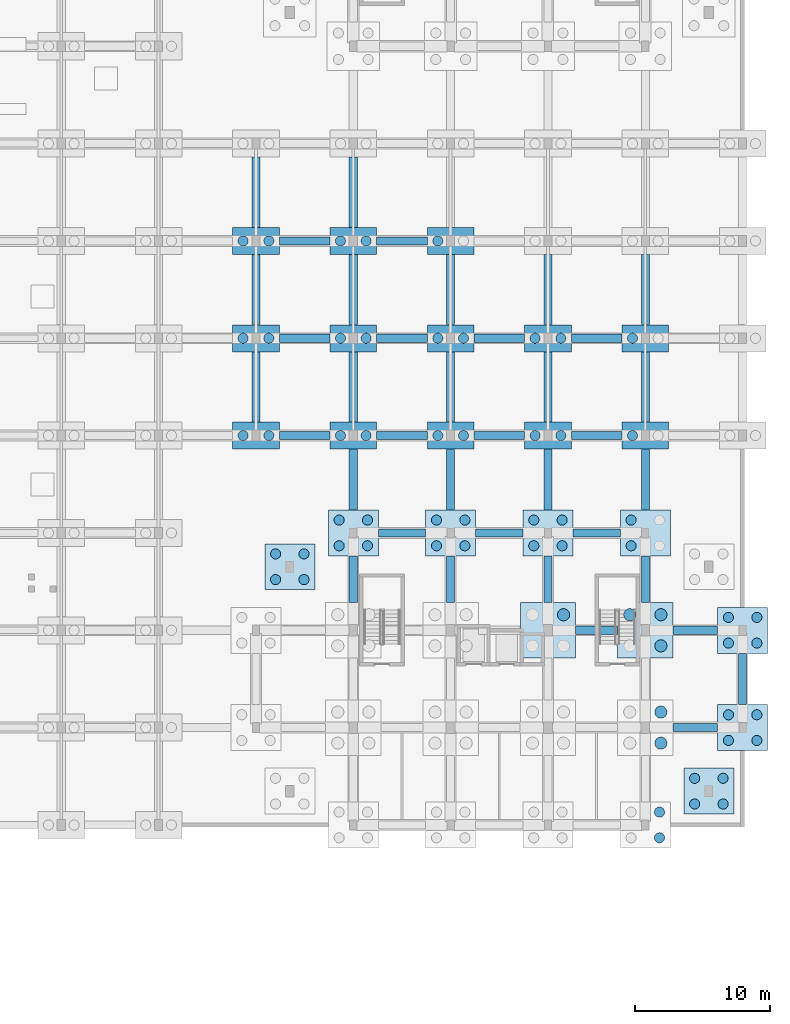
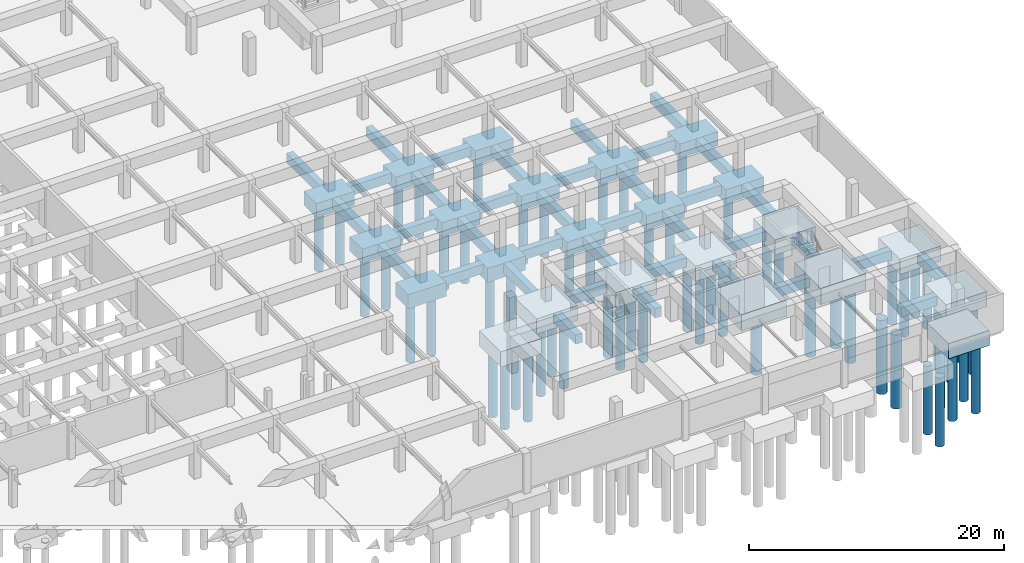
# One storey, part 13 of 36: 61 piles, 60 footings.
"""IFC4 building model written with IfcOpenShell, lengths in metres."""

from ifc_helpers import new_model, si_unit, direction, frame, origin, origin_2d, place, context, subcontext, project, spatial, rectangle, circle, extrude, material, material_profile, profile_set, type_object, element, save


model = new_model("IFC4")

# Units and contexts
model_context = context("Model", 3, precision=1e-05, world=origin(), true_north=direction((0.0, 1.0)))
body_context = subcontext(model_context, "Body", "Model", "MODEL_VIEW")
ifc_project = project(units=[si_unit("LENGTHUNIT", "METRE"), si_unit("AREAUNIT", "SQUARE_METRE"), si_unit("VOLUMEUNIT", "CUBIC_METRE"), si_unit("PLANEANGLEUNIT", "RADIAN"), si_unit("MASSUNIT", "GRAM", prefix="KILO")], contexts=[model_context])

# Site, building, storey
site_placement = place(None, origin())
site = spatial("IfcSite", under=ifc_project, at=site_placement, CompositionType="ELEMENT")
building_placement = place(site_placement, origin())
building = spatial("IfcBuilding", under=site, at=building_placement, Name="Ochrevale Crest", CompositionType="ELEMENT")
storey_placement = place(building_placement, frame((0.0, 0.0, -3.60009765625)))
storey = spatial("IfcBuildingStorey", under=building, at=storey_placement, Name="B1", CompositionType="ELEMENT", Elevation=-3.60009765625)

# Footings
ifc_material = material(Name="Concrete C40/50", Category="concrete")
footing_type_1 = type_object("IfcFootingType", Name="CAP-PC02", PredefinedType="PILE_CAP", material=ifc_material)
for number, where, z_axis, x_axis, name in (
    (1, (151.199951171875, 28.800048828125, -1.81005859375), (0.0, 0.0, 1.0), (1.0, 0.0, 0.0), "Pile cap PC02-290"),
    (2, (158.39990234375, 28.800048828125, -1.81005859375), (0.0, 0.0, 1.0), (1.0, 0.0, 0.0), "Pile cap PC02-302"),
):
    element("IfcFooting", number, at=place(storey_placement, frame(where, z_axis=z_axis, x_axis=x_axis)), inside=storey, type_object=footing_type_1, Name=name, PredefinedType="PILE_CAP", context=body_context, shape_type="SweptSolid", body=[
        extrude(rectangle(XDim=4.10009765625, YDim=4.10009765625, at=origin_2d()), origin(), (0.0, 0.0, 1.0), 1.550048828125),
    ])
footing_type_2 = type_object("IfcFootingType", Name="CAP-PC06", PredefinedType="PILE_CAP", material=ifc_material)
for number, where, z_axis, x_axis, name in (
    (3, (132.10009765625, 33.5, -1.7099609375), (0.0, 0.0, 1.0), (1.0, 0.0, 0.0), "Pile cap PC06-261"),
    (4, (136.800048828125, 36.0, -1.7099609375), (0.0, 0.0, 1.0), (1.0, 0.0, 0.0), "Pile cap PC06-267"),
    (5, (144.0, 36.0, -1.7099609375), (0.0, 0.0, 1.0), (1.0, 0.0, 0.0), "Pile cap PC06-279"),
    (6, (151.199951171875, 36.0, -1.7099609375), (0.0, 0.0, 1.0), (1.0, 0.0, 0.0), "Pile cap PC06-291"),
    (7, (158.39990234375, 36.0, -1.7099609375), (0.0, 0.0, 1.0), (1.0, 0.0, 0.0), "Pile cap PC06-303"),
    (8, (163.10009765625, 16.89990234375, -1.7099609375), (0.0, 0.0, 1.0), (1.0, 0.0, 0.0), "Pile cap PC06-312"),
    (9, (165.60009765625, 21.60009765625, -1.7099609375), (0.0, 0.0, 1.0), (1.0, 0.0, 0.0), "Pile cap PC06-316"),
    (10, (165.60009765625, 28.800048828125, -1.7099609375), (0.0, 0.0, 1.0), (1.0, 0.0, 0.0), "Pile cap PC06-317"),
):
    element("IfcFooting", number, at=place(storey_placement, frame(where, z_axis=z_axis, x_axis=x_axis)), inside=storey, type_object=footing_type_2, Name=name, PredefinedType="PILE_CAP", context=body_context, shape_type="SweptSolid", body=[
        extrude(rectangle(XDim=3.699951171875, YDim=3.39990234375, at=origin_2d()), origin(), (0.0, 0.0, 1.0), 1.449951171875),
    ])
footing_type_3 = type_object("IfcFootingType", Name="CAP-PC12", PredefinedType="PILE_CAP", material=ifc_material)
for number, where, z_axis, x_axis, name in (
    (11, (129.60009765625, 43.199951171875, -1.60986328125), (0.0, 0.0, 1.0), (1.0, 0.0, 0.0), "Pile cap PC12-254"),
    (12, (129.60009765625, 50.39990234375, -1.60986328125), (0.0, 0.0, 1.0), (1.0, 0.0, 0.0), "Pile cap PC12-255"),
    (13, (129.60009765625, 57.60009765625, -1.60986328125), (0.0, 0.0, 1.0), (1.0, 0.0, 0.0), "Pile cap PC12-256"),
    (14, (136.800048828125, 43.199951171875, -1.60986328125), (0.0, 0.0, 1.0), (1.0, 0.0, 0.0), "Pile cap PC12-268"),
    (15, (136.800048828125, 50.39990234375, -1.60986328125), (0.0, 0.0, 1.0), (1.0, 0.0, 0.0), "Pile cap PC12-269"),
    (16, (136.800048828125, 57.60009765625, -1.60986328125), (0.0, 0.0, 1.0), (1.0, 0.0, 0.0), "Pile cap PC12-270"),
    (17, (144.0, 43.199951171875, -1.60986328125), (0.0, 0.0, 1.0), (1.0, 0.0, 0.0), "Pile cap PC12-280"),
    (18, (144.0, 50.39990234375, -1.60986328125), (0.0, 0.0, 1.0), (1.0, 0.0, 0.0), "Pile cap PC12-281"),
    (19, (144.0, 57.60009765625, -1.60986328125), (0.0, 0.0, 1.0), (1.0, 0.0, 0.0), "Pile cap PC12-282"),
    (20, (151.199951171875, 43.199951171875, -1.60986328125), (0.0, 0.0, 1.0), (1.0, 0.0, 0.0), "Pile cap PC12-292"),
    (21, (151.199951171875, 50.39990234375, -1.60986328125), (0.0, 0.0, 1.0), (1.0, 0.0, 0.0), "Pile cap PC12-293"),
    (22, (158.39990234375, 43.199951171875, -1.60986328125), (0.0, 0.0, 1.0), (1.0, 0.0, 0.0), "Pile cap PC12-304"),
    (23, (158.39990234375, 50.39990234375, -1.60986328125), (0.0, 0.0, 1.0), (1.0, 0.0, 0.0), "Pile cap PC12-305"),
):
    element("IfcFooting", number, at=place(storey_placement, frame(where, z_axis=z_axis, x_axis=x_axis)), inside=storey, type_object=footing_type_3, Name=name, PredefinedType="PILE_CAP", context=body_context, shape_type="SweptSolid", body=[
        extrude(rectangle(XDim=3.449951171875, YDim=2.0, at=origin_2d()), origin(), (0.0, 0.0, 1.0), 1.35009765625),
    ])
ifc_material_profile_1 = material_profile(ifc_material, rectangle(XDim=0.60009765625, YDim=0.89990234375, at=origin_2d()), Name="GB 600x900")
ifc_profile_set_1 = profile_set([ifc_material_profile_1], Name="Concrete C40/50")
footing_type_4 = type_object("IfcFootingType", Name="FTG-GB600x900", PredefinedType="FOOTING_BEAM", material=ifc_profile_set_1)
footing_1_placement = place(storey_placement, frame((131.326904296875, 43.199951171875, -0.7099609375), z_axis=(1.0, 0.0, 0.0), x_axis=(0.0, 1.0, 0.0)))
element("IfcFooting", 24, at=footing_1_placement, inside=storey, type_object=footing_type_4, Name="Foundation tie beam GB1-455", PredefinedType="FOOTING_BEAM", context=body_context, shape_type="SweptSolid", body=[
    extrude(rectangle(XDim=0.60009765625, YDim=0.89990234375, at=origin_2d()), origin(), (0.0, 0.0, 1.0), 3.74609375),
])
footing_2_placement = place(storey_placement, frame((129.60009765625, 44.201904296875, -0.7099609375), z_axis=(0.0, 1.0, 0.0), x_axis=(-1.0, 0.0, 0.0)))
element("IfcFooting", 25, at=footing_2_placement, inside=storey, type_object=footing_type_4, Name="Foundation tie beam GB1-456", PredefinedType="FOOTING_BEAM", context=body_context, shape_type="SweptSolid", body=[
    extrude(rectangle(XDim=0.60009765625, YDim=0.89990234375, at=origin_2d()), origin(), (0.0, 0.0, 1.0), 5.196044921875),
])
footing_3_placement = place(storey_placement, frame((131.326904296875, 50.39990234375, -0.7099609375), z_axis=(1.0, 0.0, 0.0), x_axis=(0.0, 1.0, 0.0)))
element("IfcFooting", 26, at=footing_3_placement, inside=storey, type_object=footing_type_4, Name="Foundation tie beam GB1-457", PredefinedType="FOOTING_BEAM", context=body_context, shape_type="SweptSolid", body=[
    extrude(rectangle(XDim=0.60009765625, YDim=0.89990234375, at=origin_2d()), origin(), (0.0, 0.0, 1.0), 3.74609375),
])
footing_4_placement = place(storey_placement, frame((129.60009765625, 51.402099609375, -0.7099609375), z_axis=(0.0, 1.0, 0.0), x_axis=(-1.0, 0.0, 0.0)))
element("IfcFooting", 27, at=footing_4_placement, inside=storey, type_object=footing_type_4, Name="Foundation tie beam GB1-458", PredefinedType="FOOTING_BEAM", context=body_context, shape_type="SweptSolid", body=[
    extrude(rectangle(XDim=0.60009765625, YDim=0.89990234375, at=origin_2d()), origin(), (0.0, 0.0, 1.0), 5.19580078125),
])
footing_5_placement = place(storey_placement, frame((131.326904296875, 57.60009765625, -0.7099609375), z_axis=(1.0, 0.0, 0.0), x_axis=(0.0, 1.0, 0.0)))
element("IfcFooting", 28, at=footing_5_placement, inside=storey, type_object=footing_type_4, Name="Foundation tie beam GB1-459", PredefinedType="FOOTING_BEAM", context=body_context, shape_type="SweptSolid", body=[
    extrude(rectangle(XDim=0.60009765625, YDim=0.89990234375, at=origin_2d()), origin(), (0.0, 0.0, 1.0), 3.74609375),
])
footing_6_placement = place(storey_placement, frame((129.60009765625, 58.60205078125, -0.7099609375), z_axis=(0.0, 1.0, 0.0), x_axis=(-1.0, 0.0, 0.0)))
element("IfcFooting", 29, at=footing_6_placement, inside=storey, type_object=footing_type_4, Name="Foundation tie beam GB1-460", PredefinedType="FOOTING_BEAM", context=body_context, shape_type="SweptSolid", body=[
    extrude(rectangle(XDim=0.60009765625, YDim=0.89990234375, at=origin_2d()), origin(), (0.0, 0.0, 1.0), 5.196044921875),
])
footing_7_placement = place(storey_placement, frame((136.800048828125, 30.85205078125, -0.7099609375), z_axis=(0.0, 1.0, 0.0), x_axis=(-1.0, 0.0, 0.0)))
element("IfcFooting", 30, at=footing_7_placement, inside=storey, type_object=footing_type_4, Name="Foundation tie beam GB1-470", PredefinedType="FOOTING_BEAM", context=body_context, shape_type="SweptSolid", body=[
    extrude(rectangle(XDim=0.60009765625, YDim=0.89990234375, at=origin_2d()), origin(), (0.0, 0.0, 1.0), 3.446044921875),
])
footing_8_placement = place(storey_placement, frame((138.652099609375, 36.0, -0.7099609375), z_axis=(1.0, 0.0, 0.0), x_axis=(0.0, 1.0, 0.0)))
element("IfcFooting", 31, at=footing_8_placement, inside=storey, type_object=footing_type_4, Name="Foundation tie beam GB1-471", PredefinedType="FOOTING_BEAM", context=body_context, shape_type="SweptSolid", body=[
    extrude(rectangle(XDim=0.60009765625, YDim=0.89990234375, at=origin_2d()), origin(), (0.0, 0.0, 1.0), 3.495849609375),
])
footing_9_placement = place(storey_placement, frame((136.800048828125, 37.701904296875, -0.7099609375), z_axis=(0.0, 1.0, 0.0), x_axis=(-1.0, 0.0, 0.0)))
element("IfcFooting", 32, at=footing_9_placement, inside=storey, type_object=footing_type_4, Name="Foundation tie beam GB1-472", PredefinedType="FOOTING_BEAM", context=body_context, shape_type="SweptSolid", body=[
    extrude(rectangle(XDim=0.60009765625, YDim=0.89990234375, at=origin_2d()), origin(), (0.0, 0.0, 1.0), 4.49609375),
])
footing_10_placement = place(storey_placement, frame((138.527099609375, 43.199951171875, -0.7099609375), z_axis=(1.0, 0.0, 0.0), x_axis=(0.0, 1.0, 0.0)))
element("IfcFooting", 33, at=footing_10_placement, inside=storey, type_object=footing_type_4, Name="Foundation tie beam GB1-473", PredefinedType="FOOTING_BEAM", context=body_context, shape_type="SweptSolid", body=[
    extrude(rectangle(XDim=0.60009765625, YDim=0.89990234375, at=origin_2d()), origin(), (0.0, 0.0, 1.0), 3.745849609375),
])
footing_11_placement = place(storey_placement, frame((136.800048828125, 44.201904296875, -0.7099609375), z_axis=(0.0, 1.0, 0.0), x_axis=(-1.0, 0.0, 0.0)))
element("IfcFooting", 34, at=footing_11_placement, inside=storey, type_object=footing_type_4, Name="Foundation tie beam GB1-474", PredefinedType="FOOTING_BEAM", context=body_context, shape_type="SweptSolid", body=[
    extrude(rectangle(XDim=0.60009765625, YDim=0.89990234375, at=origin_2d()), origin(), (0.0, 0.0, 1.0), 5.196044921875),
])
footing_12_placement = place(storey_placement, frame((138.527099609375, 50.39990234375, -0.7099609375), z_axis=(1.0, 0.0, 0.0), x_axis=(0.0, 1.0, 0.0)))
element("IfcFooting", 35, at=footing_12_placement, inside=storey, type_object=footing_type_4, Name="Foundation tie beam GB1-475", PredefinedType="FOOTING_BEAM", context=body_context, shape_type="SweptSolid", body=[
    extrude(rectangle(XDim=0.60009765625, YDim=0.89990234375, at=origin_2d()), origin(), (0.0, 0.0, 1.0), 3.745849609375),
])
footing_13_placement = place(storey_placement, frame((136.800048828125, 51.402099609375, -0.7099609375), z_axis=(0.0, 1.0, 0.0), x_axis=(-1.0, 0.0, 0.0)))
element("IfcFooting", 36, at=footing_13_placement, inside=storey, type_object=footing_type_4, Name="Foundation tie beam GB1-476", PredefinedType="FOOTING_BEAM", context=body_context, shape_type="SweptSolid", body=[
    extrude(rectangle(XDim=0.60009765625, YDim=0.89990234375, at=origin_2d()), origin(), (0.0, 0.0, 1.0), 5.19580078125),
])
footing_14_placement = place(storey_placement, frame((138.527099609375, 57.60009765625, -0.7099609375), z_axis=(1.0, 0.0, 0.0), x_axis=(0.0, 1.0, 0.0)))
element("IfcFooting", 37, at=footing_14_placement, inside=storey, type_object=footing_type_4, Name="Foundation tie beam GB1-477", PredefinedType="FOOTING_BEAM", context=body_context, shape_type="SweptSolid", body=[
    extrude(rectangle(XDim=0.60009765625, YDim=0.89990234375, at=origin_2d()), origin(), (0.0, 0.0, 1.0), 3.745849609375),
])
footing_15_placement = place(storey_placement, frame((136.800048828125, 58.60205078125, -0.7099609375), z_axis=(0.0, 1.0, 0.0), x_axis=(-1.0, 0.0, 0.0)))
element("IfcFooting", 38, at=footing_15_placement, inside=storey, type_object=footing_type_4, Name="Foundation tie beam GB1-478", PredefinedType="FOOTING_BEAM", context=body_context, shape_type="SweptSolid", body=[
    extrude(rectangle(XDim=0.60009765625, YDim=0.89990234375, at=origin_2d()), origin(), (0.0, 0.0, 1.0), 5.196044921875),
])
footing_16_placement = place(storey_placement, frame((144.0, 30.85205078125, -0.7099609375), z_axis=(0.0, 1.0, 0.0), x_axis=(-1.0, 0.0, 0.0)))
element("IfcFooting", 39, at=footing_16_placement, inside=storey, type_object=footing_type_4, Name="Foundation tie beam GB1-493", PredefinedType="FOOTING_BEAM", context=body_context, shape_type="SweptSolid", body=[
    extrude(rectangle(XDim=0.60009765625, YDim=0.89990234375, at=origin_2d()), origin(), (0.0, 0.0, 1.0), 3.446044921875),
])
footing_17_placement = place(storey_placement, frame((145.85205078125, 36.0, -0.7099609375), z_axis=(1.0, 0.0, 0.0), x_axis=(0.0, 1.0, 0.0)))
element("IfcFooting", 40, at=footing_17_placement, inside=storey, type_object=footing_type_4, Name="Foundation tie beam GB1-494", PredefinedType="FOOTING_BEAM", context=body_context, shape_type="SweptSolid", body=[
    extrude(rectangle(XDim=0.60009765625, YDim=0.89990234375, at=origin_2d()), origin(), (0.0, 0.0, 1.0), 3.495849609375),
])
footing_18_placement = place(storey_placement, frame((144.0, 37.701904296875, -0.7099609375), z_axis=(0.0, 1.0, 0.0), x_axis=(-1.0, 0.0, 0.0)))
element("IfcFooting", 41, at=footing_18_placement, inside=storey, type_object=footing_type_4, Name="Foundation tie beam GB1-495", PredefinedType="FOOTING_BEAM", context=body_context, shape_type="SweptSolid", body=[
    extrude(rectangle(XDim=0.60009765625, YDim=0.89990234375, at=origin_2d()), origin(), (0.0, 0.0, 1.0), 4.49609375),
])
footing_19_placement = place(storey_placement, frame((145.72705078125, 43.199951171875, -0.7099609375), z_axis=(1.0, 0.0, 0.0), x_axis=(0.0, 1.0, 0.0)))
element("IfcFooting", 42, at=footing_19_placement, inside=storey, type_object=footing_type_4, Name="Foundation tie beam GB1-496", PredefinedType="FOOTING_BEAM", context=body_context, shape_type="SweptSolid", body=[
    extrude(rectangle(XDim=0.60009765625, YDim=0.89990234375, at=origin_2d()), origin(), (0.0, 0.0, 1.0), 3.745849609375),
])
footing_20_placement = place(storey_placement, frame((144.0, 44.201904296875, -0.7099609375), z_axis=(0.0, 1.0, 0.0), x_axis=(-1.0, 0.0, 0.0)))
element("IfcFooting", 43, at=footing_20_placement, inside=storey, type_object=footing_type_4, Name="Foundation tie beam GB1-497", PredefinedType="FOOTING_BEAM", context=body_context, shape_type="SweptSolid", body=[
    extrude(rectangle(XDim=0.60009765625, YDim=0.89990234375, at=origin_2d()), origin(), (0.0, 0.0, 1.0), 5.196044921875),
])
footing_21_placement = place(storey_placement, frame((145.72705078125, 50.39990234375, -0.7099609375), z_axis=(1.0, 0.0, 0.0), x_axis=(0.0, 1.0, 0.0)))
element("IfcFooting", 44, at=footing_21_placement, inside=storey, type_object=footing_type_4, Name="Foundation tie beam GB1-498", PredefinedType="FOOTING_BEAM", context=body_context, shape_type="SweptSolid", body=[
    extrude(rectangle(XDim=0.60009765625, YDim=0.89990234375, at=origin_2d()), origin(), (0.0, 0.0, 1.0), 3.745849609375),
])
footing_22_placement = place(storey_placement, frame((144.0, 51.402099609375, -0.7099609375), z_axis=(0.0, 1.0, 0.0), x_axis=(-1.0, 0.0, 0.0)))
element("IfcFooting", 45, at=footing_22_placement, inside=storey, type_object=footing_type_4, Name="Foundation tie beam GB1-499", PredefinedType="FOOTING_BEAM", context=body_context, shape_type="SweptSolid", body=[
    extrude(rectangle(XDim=0.60009765625, YDim=0.89990234375, at=origin_2d()), origin(), (0.0, 0.0, 1.0), 5.19580078125),
])
footing_23_placement = place(storey_placement, frame((153.251953125, 28.800048828125, -0.7099609375), z_axis=(1.0, 0.0, 0.0), x_axis=(0.0, 1.0, 0.0)))
element("IfcFooting", 46, at=footing_23_placement, inside=storey, type_object=footing_type_4, Name="Foundation tie beam GB1-515", PredefinedType="FOOTING_BEAM", context=body_context, shape_type="SweptSolid", body=[
    extrude(rectangle(XDim=0.60009765625, YDim=0.89990234375, at=origin_2d()), origin(), (0.0, 0.0, 1.0), 3.095947265625),
])
footing_24_placement = place(storey_placement, frame((151.199951171875, 30.85205078125, -0.7099609375), z_axis=(0.0, 1.0, 0.0), x_axis=(-1.0, 0.0, 0.0)))
element("IfcFooting", 47, at=footing_24_placement, inside=storey, type_object=footing_type_4, Name="Foundation tie beam GB1-516", PredefinedType="FOOTING_BEAM", context=body_context, shape_type="SweptSolid", body=[
    extrude(rectangle(XDim=0.60009765625, YDim=0.89990234375, at=origin_2d()), origin(), (0.0, 0.0, 1.0), 3.446044921875),
])
footing_25_placement = place(storey_placement, frame((153.052001953125, 36.0, -0.7099609375), z_axis=(1.0, 0.0, 0.0), x_axis=(0.0, 1.0, 0.0)))
element("IfcFooting", 48, at=footing_25_placement, inside=storey, type_object=footing_type_4, Name="Foundation tie beam GB1-517", PredefinedType="FOOTING_BEAM", context=body_context, shape_type="SweptSolid", body=[
    extrude(rectangle(XDim=0.60009765625, YDim=0.89990234375, at=origin_2d()), origin(), (0.0, 0.0, 1.0), 3.49609375),
])
footing_26_placement = place(storey_placement, frame((151.199951171875, 37.701904296875, -0.7099609375), z_axis=(0.0, 1.0, 0.0), x_axis=(-1.0, 0.0, 0.0)))
element("IfcFooting", 49, at=footing_26_placement, inside=storey, type_object=footing_type_4, Name="Foundation tie beam GB1-518", PredefinedType="FOOTING_BEAM", context=body_context, shape_type="SweptSolid", body=[
    extrude(rectangle(XDim=0.60009765625, YDim=0.89990234375, at=origin_2d()), origin(), (0.0, 0.0, 1.0), 4.49609375),
])
footing_27_placement = place(storey_placement, frame((152.927001953125, 43.199951171875, -0.7099609375), z_axis=(1.0, 0.0, 0.0), x_axis=(0.0, 1.0, 0.0)))
element("IfcFooting", 50, at=footing_27_placement, inside=storey, type_object=footing_type_4, Name="Foundation tie beam GB1-519", PredefinedType="FOOTING_BEAM", context=body_context, shape_type="SweptSolid", body=[
    extrude(rectangle(XDim=0.60009765625, YDim=0.89990234375, at=origin_2d()), origin(), (0.0, 0.0, 1.0), 3.74609375),
])
footing_28_placement = place(storey_placement, frame((151.199951171875, 44.201904296875, -0.7099609375), z_axis=(0.0, 1.0, 0.0), x_axis=(-1.0, 0.0, 0.0)))
element("IfcFooting", 51, at=footing_28_placement, inside=storey, type_object=footing_type_4, Name="Foundation tie beam GB1-520", PredefinedType="FOOTING_BEAM", context=body_context, shape_type="SweptSolid", body=[
    extrude(rectangle(XDim=0.60009765625, YDim=0.89990234375, at=origin_2d()), origin(), (0.0, 0.0, 1.0), 5.196044921875),
])
footing_29_placement = place(storey_placement, frame((152.927001953125, 50.39990234375, -0.7099609375), z_axis=(1.0, 0.0, 0.0), x_axis=(0.0, 1.0, 0.0)))
element("IfcFooting", 52, at=footing_29_placement, inside=storey, type_object=footing_type_4, Name="Foundation tie beam GB1-521", PredefinedType="FOOTING_BEAM", context=body_context, shape_type="SweptSolid", body=[
    extrude(rectangle(XDim=0.60009765625, YDim=0.89990234375, at=origin_2d()), origin(), (0.0, 0.0, 1.0), 3.74609375),
])
footing_30_placement = place(storey_placement, frame((151.199951171875, 51.402099609375, -0.7099609375), z_axis=(0.0, 1.0, 0.0), x_axis=(-1.0, 0.0, 0.0)))
element("IfcFooting", 53, at=footing_30_placement, inside=storey, type_object=footing_type_4, Name="Foundation tie beam GB1-522", PredefinedType="FOOTING_BEAM", context=body_context, shape_type="SweptSolid", body=[
    extrude(rectangle(XDim=0.60009765625, YDim=0.89990234375, at=origin_2d()), origin(), (0.0, 0.0, 1.0), 5.19580078125),
])
for number, where, z_axis, x_axis, name in (
    (54, (160.451904296875, 21.60009765625, -0.7099609375), (1.0, 0.0, 0.0), (0.0, 1.0, 0.0), "Foundation tie beam GB1-535"),
    (55, (160.451904296875, 28.800048828125, -0.7099609375), (1.0, 0.0, 0.0), (0.0, 1.0, 0.0), "Foundation tie beam GB1-537"),
):
    element("IfcFooting", number, at=place(storey_placement, frame(where, z_axis=z_axis, x_axis=x_axis)), inside=storey, type_object=footing_type_4, Name=name, PredefinedType="FOOTING_BEAM", context=body_context, shape_type="SweptSolid", body=[
        extrude(rectangle(XDim=0.60009765625, YDim=0.89990234375, at=origin_2d()), origin(), (0.0, 0.0, 1.0), 3.296142578125),
    ])
footing_31_placement = place(storey_placement, frame((158.39990234375, 30.85205078125, -0.7099609375), z_axis=(0.0, 1.0, 0.0), x_axis=(-1.0, 0.0, 0.0)))
element("IfcFooting", 56, at=footing_31_placement, inside=storey, type_object=footing_type_4, Name="Foundation tie beam GB1-538", PredefinedType="FOOTING_BEAM", context=body_context, shape_type="SweptSolid", body=[
    extrude(rectangle(XDim=0.60009765625, YDim=0.89990234375, at=origin_2d()), origin(), (0.0, 0.0, 1.0), 3.446044921875),
])
footing_32_placement = place(storey_placement, frame((158.39990234375, 37.701904296875, -0.7099609375), z_axis=(0.0, 1.0, 0.0), x_axis=(-1.0, 0.0, 0.0)))
element("IfcFooting", 57, at=footing_32_placement, inside=storey, type_object=footing_type_4, Name="Foundation tie beam GB1-539", PredefinedType="FOOTING_BEAM", context=body_context, shape_type="SweptSolid", body=[
    extrude(rectangle(XDim=0.60009765625, YDim=0.89990234375, at=origin_2d()), origin(), (0.0, 0.0, 1.0), 4.49609375),
])
footing_33_placement = place(storey_placement, frame((158.39990234375, 44.201904296875, -0.7099609375), z_axis=(0.0, 1.0, 0.0), x_axis=(-1.0, 0.0, 0.0)))
element("IfcFooting", 58, at=footing_33_placement, inside=storey, type_object=footing_type_4, Name="Foundation tie beam GB1-541", PredefinedType="FOOTING_BEAM", context=body_context, shape_type="SweptSolid", body=[
    extrude(rectangle(XDim=0.60009765625, YDim=0.89990234375, at=origin_2d()), origin(), (0.0, 0.0, 1.0), 5.196044921875),
])
footing_34_placement = place(storey_placement, frame((158.39990234375, 51.402099609375, -0.7099609375), z_axis=(0.0, 1.0, 0.0), x_axis=(-1.0, 0.0, 0.0)))
element("IfcFooting", 59, at=footing_34_placement, inside=storey, type_object=footing_type_4, Name="Foundation tie beam GB1-543", PredefinedType="FOOTING_BEAM", context=body_context, shape_type="SweptSolid", body=[
    extrude(rectangle(XDim=0.60009765625, YDim=0.89990234375, at=origin_2d()), origin(), (0.0, 0.0, 1.0), 5.19580078125),
])
footing_35_placement = place(storey_placement, frame((165.60009765625, 23.302001953125, -0.7099609375), z_axis=(0.0, 1.0, 0.0), x_axis=(-1.0, 0.0, 0.0)))
element("IfcFooting", 60, at=footing_35_placement, inside=storey, type_object=footing_type_4, Name="Foundation tie beam GB1-553", PredefinedType="FOOTING_BEAM", context=body_context, shape_type="SweptSolid", body=[
    extrude(rectangle(XDim=0.60009765625, YDim=0.89990234375, at=origin_2d()), origin(), (0.0, 0.0, 1.0), 3.7958984375),
])

# Piles
ifc_material_profile_2 = material_profile(ifc_material, circle(Radius=0.375, at=origin_2d()), Name="BORED PILE 750")
ifc_profile_set_2 = profile_set([ifc_material_profile_2], Name="Concrete C40/50")
pile_type_1 = type_object("IfcPileType", Name="PILE-BP750", PredefinedType="BORED", material=ifc_profile_set_2)
for number, where, z_axis, x_axis, name in (
    (61, (128.64990234375, 43.199951171875, -1.510009765625), (0.0, 0.0, -1.0), (1.0, 0.0, 0.0), "Bored pile P2-254-1"),
    (62, (130.550048828125, 43.199951171875, -1.510009765625), (0.0, 0.0, -1.0), (1.0, 0.0, 0.0), "Bored pile P2-254-2"),
    (63, (128.64990234375, 50.39990234375, -1.510009765625), (0.0, 0.0, -1.0), (1.0, 0.0, 0.0), "Bored pile P2-255-1"),
    (64, (130.550048828125, 50.39990234375, -1.510009765625), (0.0, 0.0, -1.0), (1.0, 0.0, 0.0), "Bored pile P2-255-2"),
    (65, (128.64990234375, 57.60009765625, -1.510009765625), (0.0, 0.0, -1.0), (1.0, 0.0, 0.0), "Bored pile P2-256-1"),
    (66, (130.550048828125, 57.60009765625, -1.510009765625), (0.0, 0.0, -1.0), (1.0, 0.0, 0.0), "Bored pile P2-256-2"),
):
    element("IfcPile", number, at=place(storey_placement, frame(where, z_axis=z_axis, x_axis=x_axis)), inside=storey, type_object=pile_type_1, Name=name, PredefinedType="BORED", context=body_context, shape_type="SweptSolid", body=[
        extrude(circle(Radius=0.375, at=origin_2d()), origin(), (0.0, 0.0, 1.0), 5.889892578125),
    ])
for number, where, z_axis, x_axis, name in (
    (67, (131.050048828125, 32.550048828125, -1.60986328125), (0.0, 0.0, -1.0), (1.0, 0.0, 0.0), "Bored pile P2-261-1"),
    (68, (133.14990234375, 32.550048828125, -1.60986328125), (0.0, 0.0, -1.0), (1.0, 0.0, 0.0), "Bored pile P2-261-2"),
    (69, (131.050048828125, 34.449951171875, -1.60986328125), (0.0, 0.0, -1.0), (1.0, 0.0, 0.0), "Bored pile P2-261-3"),
    (70, (133.14990234375, 34.449951171875, -1.60986328125), (0.0, 0.0, -1.0), (1.0, 0.0, 0.0), "Bored pile P2-261-4"),
    (71, (135.75, 35.050048828125, -1.60986328125), (0.0, 0.0, -1.0), (1.0, 0.0, 0.0), "Bored pile P2-267-1"),
    (72, (137.85009765625, 35.050048828125, -1.60986328125), (0.0, 0.0, -1.0), (1.0, 0.0, 0.0), "Bored pile P2-267-2"),
    (73, (135.75, 36.949951171875, -1.60986328125), (0.0, 0.0, -1.0), (1.0, 0.0, 0.0), "Bored pile P2-267-3"),
    (74, (137.85009765625, 36.949951171875, -1.60986328125), (0.0, 0.0, -1.0), (1.0, 0.0, 0.0), "Bored pile P2-267-4"),
):
    element("IfcPile", number, at=place(storey_placement, frame(where, z_axis=z_axis, x_axis=x_axis)), inside=storey, type_object=pile_type_1, Name=name, PredefinedType="BORED", context=body_context, shape_type="SweptSolid", body=[
        extrude(circle(Radius=0.375, at=origin_2d()), origin(), (0.0, 0.0, 1.0), 6.590087890625),
    ])
for number, where, z_axis, x_axis, name in (
    (75, (135.85009765625, 43.199951171875, -1.510009765625), (0.0, 0.0, -1.0), (1.0, 0.0, 0.0), "Bored pile P2-268-1"),
    (76, (137.75, 43.199951171875, -1.510009765625), (0.0, 0.0, -1.0), (1.0, 0.0, 0.0), "Bored pile P2-268-2"),
    (77, (135.85009765625, 50.39990234375, -1.510009765625), (0.0, 0.0, -1.0), (1.0, 0.0, 0.0), "Bored pile P2-269-1"),
    (78, (137.75, 50.39990234375, -1.510009765625), (0.0, 0.0, -1.0), (1.0, 0.0, 0.0), "Bored pile P2-269-2"),
    (79, (135.85009765625, 57.60009765625, -1.510009765625), (0.0, 0.0, -1.0), (1.0, 0.0, 0.0), "Bored pile P2-270-1"),
    (80, (137.75, 57.60009765625, -1.510009765625), (0.0, 0.0, -1.0), (1.0, 0.0, 0.0), "Bored pile P2-270-2"),
):
    element("IfcPile", number, at=place(storey_placement, frame(where, z_axis=z_axis, x_axis=x_axis)), inside=storey, type_object=pile_type_1, Name=name, PredefinedType="BORED", context=body_context, shape_type="SweptSolid", body=[
        extrude(circle(Radius=0.375, at=origin_2d()), origin(), (0.0, 0.0, 1.0), 5.889892578125),
    ])
for number, where, z_axis, x_axis, name in (
    (81, (142.949951171875, 35.050048828125, -1.60986328125), (0.0, 0.0, -1.0), (1.0, 0.0, 0.0), "Bored pile P2-279-1"),
    (82, (145.050048828125, 35.050048828125, -1.60986328125), (0.0, 0.0, -1.0), (1.0, 0.0, 0.0), "Bored pile P2-279-2"),
    (83, (142.949951171875, 36.949951171875, -1.60986328125), (0.0, 0.0, -1.0), (1.0, 0.0, 0.0), "Bored pile P2-279-3"),
    (84, (145.050048828125, 36.949951171875, -1.60986328125), (0.0, 0.0, -1.0), (1.0, 0.0, 0.0), "Bored pile P2-279-4"),
):
    element("IfcPile", number, at=place(storey_placement, frame(where, z_axis=z_axis, x_axis=x_axis)), inside=storey, type_object=pile_type_1, Name=name, PredefinedType="BORED", context=body_context, shape_type="SweptSolid", body=[
        extrude(circle(Radius=0.375, at=origin_2d()), origin(), (0.0, 0.0, 1.0), 6.590087890625),
    ])
for number, where, z_axis, x_axis, name in (
    (85, (143.050048828125, 43.199951171875, -1.510009765625), (0.0, 0.0, -1.0), (1.0, 0.0, 0.0), "Bored pile P2-280-1"),
    (86, (144.949951171875, 43.199951171875, -1.510009765625), (0.0, 0.0, -1.0), (1.0, 0.0, 0.0), "Bored pile P2-280-2"),
    (87, (143.050048828125, 50.39990234375, -1.510009765625), (0.0, 0.0, -1.0), (1.0, 0.0, 0.0), "Bored pile P2-281-1"),
    (88, (144.949951171875, 50.39990234375, -1.510009765625), (0.0, 0.0, -1.0), (1.0, 0.0, 0.0), "Bored pile P2-281-2"),
    (89, (143.050048828125, 57.60009765625, -1.510009765625), (0.0, 0.0, -1.0), (1.0, 0.0, 0.0), "Bored pile P2-282-1"),
):
    element("IfcPile", number, at=place(storey_placement, frame(where, z_axis=z_axis, x_axis=x_axis)), inside=storey, type_object=pile_type_1, Name=name, PredefinedType="BORED", context=body_context, shape_type="SweptSolid", body=[
        extrude(circle(Radius=0.375, at=origin_2d()), origin(), (0.0, 0.0, 1.0), 5.889892578125),
    ])
for number, where, z_axis, x_axis, name in (
    (90, (150.14990234375, 35.050048828125, -1.60986328125), (0.0, 0.0, -1.0), (1.0, 0.0, 0.0), "Bored pile P2-291-1"),
    (91, (152.25, 35.050048828125, -1.60986328125), (0.0, 0.0, -1.0), (1.0, 0.0, 0.0), "Bored pile P2-291-2"),
    (92, (150.14990234375, 36.949951171875, -1.60986328125), (0.0, 0.0, -1.0), (1.0, 0.0, 0.0), "Bored pile P2-291-3"),
    (93, (152.25, 36.949951171875, -1.60986328125), (0.0, 0.0, -1.0), (1.0, 0.0, 0.0), "Bored pile P2-291-4"),
):
    element("IfcPile", number, at=place(storey_placement, frame(where, z_axis=z_axis, x_axis=x_axis)), inside=storey, type_object=pile_type_1, Name=name, PredefinedType="BORED", context=body_context, shape_type="SweptSolid", body=[
        extrude(circle(Radius=0.375, at=origin_2d()), origin(), (0.0, 0.0, 1.0), 6.590087890625),
    ])
for number, where, z_axis, x_axis, name in (
    (94, (150.25, 43.199951171875, -1.510009765625), (0.0, 0.0, -1.0), (1.0, 0.0, 0.0), "Bored pile P2-292-1"),
    (95, (152.14990234375, 43.199951171875, -1.510009765625), (0.0, 0.0, -1.0), (1.0, 0.0, 0.0), "Bored pile P2-292-2"),
    (96, (150.25, 50.39990234375, -1.510009765625), (0.0, 0.0, -1.0), (1.0, 0.0, 0.0), "Bored pile P2-293-1"),
    (97, (152.14990234375, 50.39990234375, -1.510009765625), (0.0, 0.0, -1.0), (1.0, 0.0, 0.0), "Bored pile P2-293-2"),
):
    element("IfcPile", number, at=place(storey_placement, frame(where, z_axis=z_axis, x_axis=x_axis)), inside=storey, type_object=pile_type_1, Name=name, PredefinedType="BORED", context=body_context, shape_type="SweptSolid", body=[
        extrude(circle(Radius=0.375, at=origin_2d()), origin(), (0.0, 0.0, 1.0), 5.889892578125),
    ])
for number, where, z_axis, x_axis, name in (
    (98, (159.449951171875, 13.449951171875, -1.60986328125), (0.0, 0.0, -1.0), (1.0, 0.0, 0.0), "Bored pile P2-300-2"),
    (99, (159.449951171875, 15.35009765625, -1.60986328125), (0.0, 0.0, -1.0), (1.0, 0.0, 0.0), "Bored pile P2-300-4"),
    (100, (157.35009765625, 35.050048828125, -1.60986328125), (0.0, 0.0, -1.0), (1.0, 0.0, 0.0), "Bored pile P2-303-1"),
    (101, (157.35009765625, 36.949951171875, -1.60986328125), (0.0, 0.0, -1.0), (1.0, 0.0, 0.0), "Bored pile P2-303-3"),
):
    element("IfcPile", number, at=place(storey_placement, frame(where, z_axis=z_axis, x_axis=x_axis)), inside=storey, type_object=pile_type_1, Name=name, PredefinedType="BORED", context=body_context, shape_type="SweptSolid", body=[
        extrude(circle(Radius=0.375, at=origin_2d()), origin(), (0.0, 0.0, 1.0), 6.590087890625),
    ])
for number, where, z_axis, x_axis, name in (
    (102, (157.449951171875, 43.199951171875, -1.510009765625), (0.0, 0.0, -1.0), (1.0, 0.0, 0.0), "Bored pile P2-304-1"),
    (103, (157.449951171875, 50.39990234375, -1.510009765625), (0.0, 0.0, -1.0), (1.0, 0.0, 0.0), "Bored pile P2-305-1"),
):
    element("IfcPile", number, at=place(storey_placement, frame(where, z_axis=z_axis, x_axis=x_axis)), inside=storey, type_object=pile_type_1, Name=name, PredefinedType="BORED", context=body_context, shape_type="SweptSolid", body=[
        extrude(circle(Radius=0.375, at=origin_2d()), origin(), (0.0, 0.0, 1.0), 5.889892578125),
    ])
for number, where, z_axis, x_axis, name in (
    (104, (162.050048828125, 15.949951171875, -1.60986328125), (0.0, 0.0, -1.0), (1.0, 0.0, 0.0), "Bored pile P2-312-1"),
    (105, (164.14990234375, 15.949951171875, -1.60986328125), (0.0, 0.0, -1.0), (1.0, 0.0, 0.0), "Bored pile P2-312-2"),
    (106, (162.050048828125, 17.85009765625, -1.60986328125), (0.0, 0.0, -1.0), (1.0, 0.0, 0.0), "Bored pile P2-312-3"),
    (107, (164.14990234375, 17.85009765625, -1.60986328125), (0.0, 0.0, -1.0), (1.0, 0.0, 0.0), "Bored pile P2-312-4"),
    (108, (164.550048828125, 20.64990234375, -1.60986328125), (0.0, 0.0, -1.0), (1.0, 0.0, 0.0), "Bored pile P2-316-1"),
    (109, (166.64990234375, 20.64990234375, -1.60986328125), (0.0, 0.0, -1.0), (1.0, 0.0, 0.0), "Bored pile P2-316-2"),
    (110, (164.550048828125, 22.550048828125, -1.60986328125), (0.0, 0.0, -1.0), (1.0, 0.0, 0.0), "Bored pile P2-316-3"),
    (111, (166.64990234375, 22.550048828125, -1.60986328125), (0.0, 0.0, -1.0), (1.0, 0.0, 0.0), "Bored pile P2-316-4"),
    (112, (164.550048828125, 27.85009765625, -1.60986328125), (0.0, 0.0, -1.0), (1.0, 0.0, 0.0), "Bored pile P2-317-1"),
    (113, (166.64990234375, 27.85009765625, -1.60986328125), (0.0, 0.0, -1.0), (1.0, 0.0, 0.0), "Bored pile P2-317-2"),
    (114, (164.550048828125, 29.75, -1.60986328125), (0.0, 0.0, -1.0), (1.0, 0.0, 0.0), "Bored pile P2-317-3"),
    (115, (166.64990234375, 29.75, -1.60986328125), (0.0, 0.0, -1.0), (1.0, 0.0, 0.0), "Bored pile P2-317-4"),
):
    element("IfcPile", number, at=place(storey_placement, frame(where, z_axis=z_axis, x_axis=x_axis)), inside=storey, type_object=pile_type_1, Name=name, PredefinedType="BORED", context=body_context, shape_type="SweptSolid", body=[
        extrude(circle(Radius=0.375, at=origin_2d()), origin(), (0.0, 0.0, 1.0), 6.590087890625),
    ])
ifc_material_profile_3 = material_profile(ifc_material, circle(Radius=0.449951171875, at=origin_2d()), Name="BORED PILE 900")
ifc_profile_set_3 = profile_set([ifc_material_profile_3], Name="Concrete C40/50")
pile_type_2 = type_object("IfcPileType", Name="PILE-BP900", PredefinedType="BORED", material=ifc_profile_set_3)
for number, where, z_axis, x_axis, name in (
    (116, (152.35009765625, 29.949951171875, -1.7099609375), (0.0, 0.0, -1.0), (1.0, 0.0, 0.0), "Bored pile P3-290-4"),
    (117, (159.550048828125, 20.449951171875, -1.7099609375), (0.0, 0.0, -1.0), (1.0, 0.0, 0.0), "Bored pile P3-301-2"),
    (118, (159.550048828125, 22.75, -1.7099609375), (0.0, 0.0, -1.0), (1.0, 0.0, 0.0), "Bored pile P3-301-4"),
    (119, (159.550048828125, 27.64990234375, -1.7099609375), (0.0, 0.0, -1.0), (1.0, 0.0, 0.0), "Bored pile P3-302-2"),
    (120, (157.25, 29.949951171875, -1.7099609375), (0.0, 0.0, -1.0), (1.0, 0.0, 0.0), "Bored pile P3-302-3"),
    (121, (159.550048828125, 29.949951171875, -1.7099609375), (0.0, 0.0, -1.0), (1.0, 0.0, 0.0), "Bored pile P3-302-4"),
):
    element("IfcPile", number, at=place(storey_placement, frame(where, z_axis=z_axis, x_axis=x_axis)), inside=storey, type_object=pile_type_2, Name=name, PredefinedType="BORED", context=body_context, shape_type="SweptSolid", body=[
        extrude(circle(Radius=0.449951171875, at=origin_2d()), origin(), (0.0, 0.0, 1.0), 7.090087890625),
    ])

save(model, "model.ifc")
